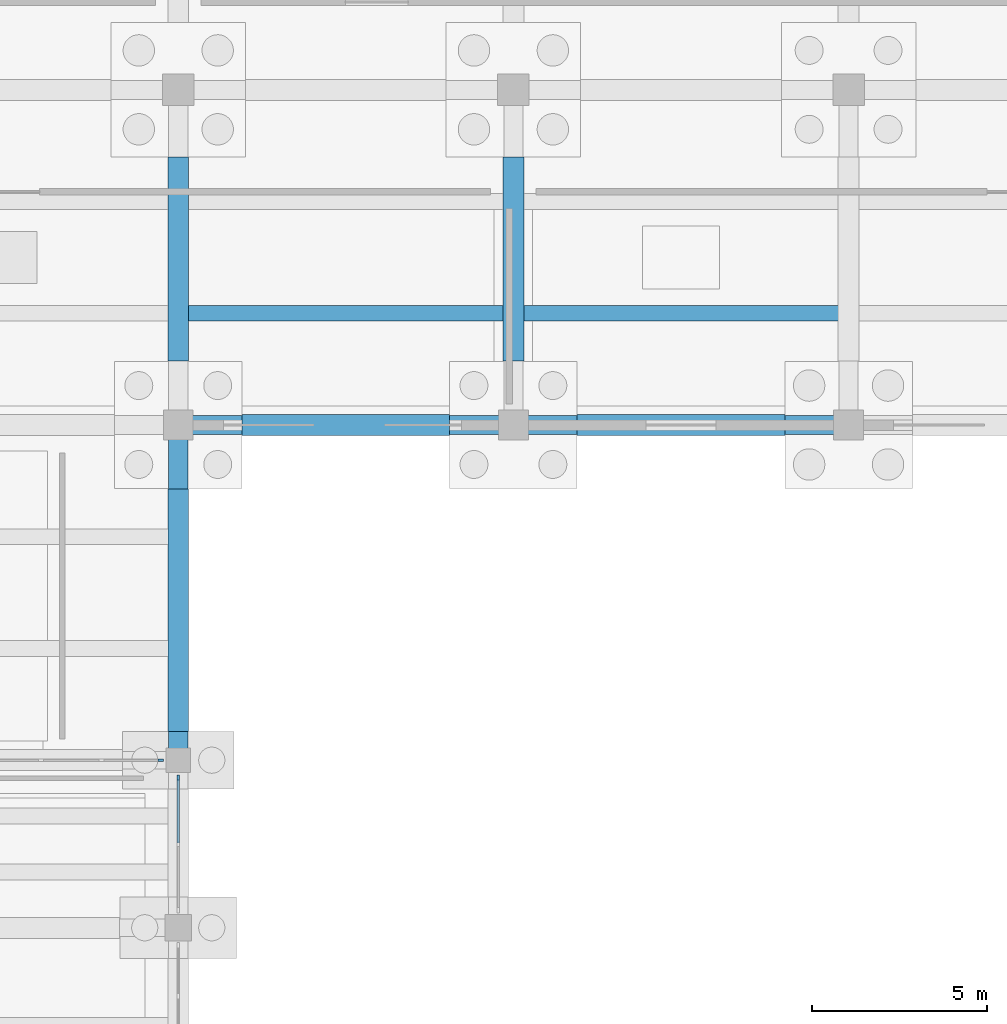
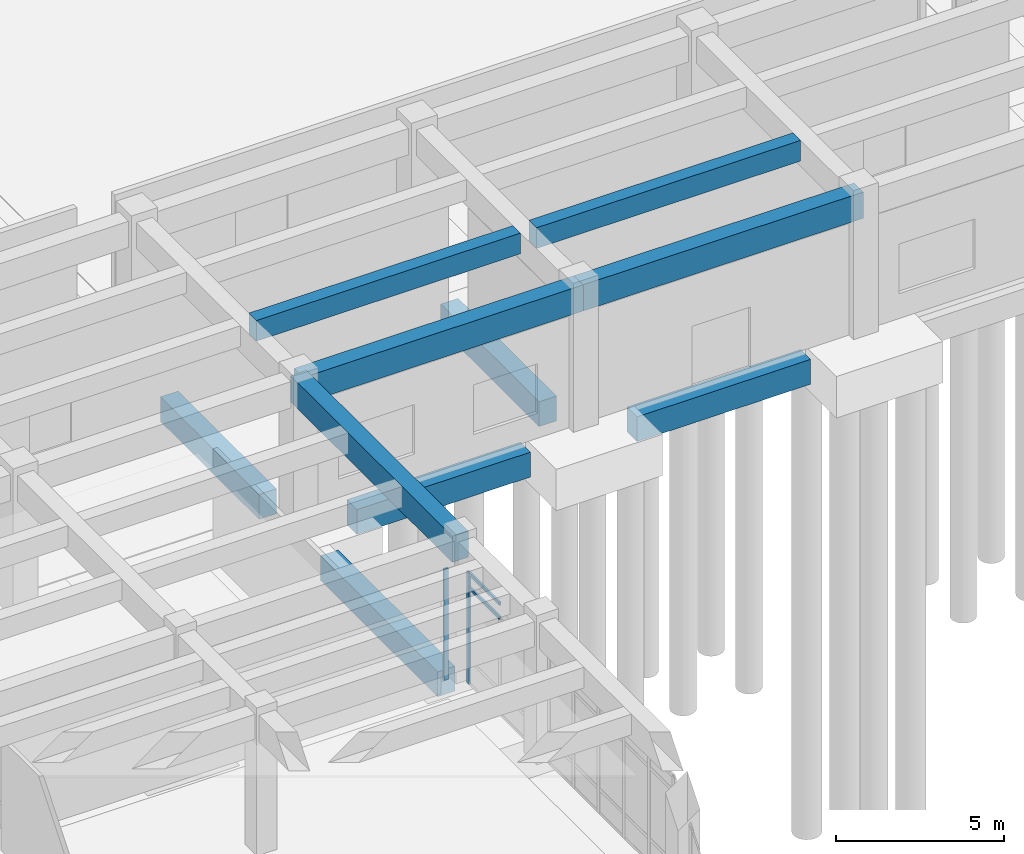
# One storey, part 33 of 102: 10 beams, 4 members, 2 elements without a shape of their own.
"""IFC4 building model written with IfcOpenShell, lengths in metres."""

from ifc_helpers import new_model, si_unit, direction, frame, origin, origin_2d, place, context, subcontext, project, spatial, rectangle, extrude, material, layer, layer_set, material_profile, profile_set, type_object, element, aggregate, save


model = new_model("IFC4")

# Units and contexts
model_context = context("Model", 3, precision=1e-05, world=origin(), true_north=direction((0.0, 1.0)))
body_context = subcontext(model_context, "Body", "Model", "MODEL_VIEW")
ifc_project = project(units=[si_unit("LENGTHUNIT", "METRE"), si_unit("AREAUNIT", "SQUARE_METRE"), si_unit("VOLUMEUNIT", "CUBIC_METRE"), si_unit("PLANEANGLEUNIT", "RADIAN"), si_unit("MASSUNIT", "GRAM", prefix="KILO")], contexts=[model_context])

# Site, building, storey
site_placement = place(None, origin())
site = spatial("IfcSite", under=ifc_project, at=site_placement, CompositionType="ELEMENT")
building_placement = place(site_placement, origin())
building = spatial("IfcBuilding", under=site, at=building_placement, Name="Kolvemor Railside Polytechnic", CompositionType="ELEMENT")
storey_placement = place(building_placement, origin())
storey = spatial("IfcBuildingStorey", under=building, at=storey_placement, Name="L00", CompositionType="ELEMENT", Elevation=0.0)

# Beams
ifc_material_1 = material(Name="Concrete C40/50", Category="concrete")
ifc_material_profile_1 = material_profile(ifc_material_1, rectangle(XDim=0.550048828125, YDim=0.949951171875, at=origin_2d()), Name="RC550x950")
ifc_profile_set_1 = profile_set([ifc_material_profile_1], Name="Concrete C40/50")
beam_type_1 = type_object("IfcBeamType", Name="BM-RC-GIRD", PredefinedType="BEAM", material=ifc_profile_set_1)
beam_1_placement = place(storey_placement, frame((48.0, 91.199951171875, 4.635009765625), z_axis=(1.0, 0.0, 0.0), x_axis=(0.0, 1.0, 0.0)))
element("IfcBeam", 1, at=beam_1_placement, inside=storey, type_object=beam_type_1, Name="Primary Girder L01-GX 0494", PredefinedType="BEAM", context=body_context, shape_type="SweptSolid", body=[
    extrude(rectangle(XDim=0.550048828125, YDim=0.949951171875, at=origin_2d()), origin(), (0.0, 0.0, 1.0), 9.60009765625),
])
for number, where, z_axis, x_axis, name in (
    (2, (57.60009765625, 91.199951171875, 4.635009765625), (1.0, 0.0, 0.0), (0.0, 1.0, 0.0), "Primary Girder L01-GX 0495"),
    (3, (48.0, 81.60009765625, 4.635009765625), (0.0, 1.0, 0.0), (-1.0, 0.0, 0.0), "Primary Girder L01-GY 1051"),
):
    element("IfcBeam", number, at=place(storey_placement, frame(where, z_axis=z_axis, x_axis=x_axis)), inside=storey, type_object=beam_type_1, Name=name, PredefinedType="BEAM", context=body_context, shape_type="SweptSolid", body=[
        extrude(rectangle(XDim=0.550048828125, YDim=0.949951171875, at=origin_2d()), origin(), (0.0, 0.0, 1.0), 9.599853515625),
    ])
ifc_material_2 = material(Name="Concrete C40/50", Category="concrete")
ifc_material_profile_2 = material_profile(ifc_material_2, rectangle(XDim=0.449951171875, YDim=0.75, at=origin_2d()), Name="RC450x750")
ifc_profile_set_2 = profile_set([ifc_material_profile_2], Name="Concrete C40/50")
beam_type_2 = type_object("IfcBeamType", Name="BM-RC-SEC", PredefinedType="JOIST", material=ifc_profile_set_2)
for number, where, z_axis, x_axis, name in (
    (4, (48.27490234375, 94.39990234375, 4.735107421875), (1.0, 0.0, 0.0), (0.0, 1.0, 0.0), "Floor Joist L01-J0540"),
    (5, (57.875, 94.39990234375, 4.735107421875), (1.0, 0.0, 0.0), (0.0, 1.0, 0.0), "Floor Joist L01-J0542"),
):
    element("IfcBeam", number, at=place(storey_placement, frame(where, z_axis=z_axis, x_axis=x_axis)), inside=storey, type_object=beam_type_2, Name=name, PredefinedType="JOIST", context=body_context, shape_type="SweptSolid", body=[
        extrude(rectangle(XDim=0.449951171875, YDim=0.75, at=origin_2d()), origin(), (0.0, 0.0, 1.0), 9.050048828125),
    ])
ifc_material_3 = material(Name="Concrete C40/50", Category="concrete")
ifc_material_profile_3 = material_profile(ifc_material_3, rectangle(XDim=0.60009765625, YDim=0.89990234375, at=origin_2d()), Name="RC600x900")
ifc_profile_set_3 = profile_set([ifc_material_profile_3], Name="Concrete C40/50")
beam_type_3 = type_object("IfcBeamType", Name="BM-RC-TIE", PredefinedType="BEAM", material=ifc_profile_set_3)
for number, where, z_axis, x_axis, name in (
    (6, (49.826904296875, 91.199951171875, -0.75), (1.0, 0.0, 0.0), (0.0, 1.0, 0.0), "Ground Tie Beam GTB-X188"),
    (7, (59.427001953125, 91.199951171875, -0.75), (1.0, 0.0, 0.0), (0.0, 1.0, 0.0), "Ground Tie Beam GTB-X189"),
):
    element("IfcBeam", number, at=place(storey_placement, frame(where, z_axis=z_axis, x_axis=x_axis)), inside=storey, type_object=beam_type_3, Name=name, PredefinedType="BEAM", context=body_context, shape_type="SweptSolid", body=[
        extrude(rectangle(XDim=0.60009765625, YDim=0.89990234375, at=origin_2d()), origin(), (0.0, 0.0, 1.0), 5.946044921875),
    ])
beam_2_placement = place(storey_placement, frame((48.0, 82.427001953125, -0.75), z_axis=(0.0, 1.0, 0.0), x_axis=(-1.0, 0.0, 0.0)))
element("IfcBeam", 8, at=beam_2_placement, inside=storey, type_object=beam_type_3, Name="Ground Tie Beam GTB-Y297", PredefinedType="BEAM", context=body_context, shape_type="SweptSolid", body=[
    extrude(rectangle(XDim=0.60009765625, YDim=0.89990234375, at=origin_2d()), origin(), (0.0, 0.0, 1.0), 6.946044921875),
])
for number, where, z_axis, x_axis, name in (
    (9, (48.0, 93.027099609375, -0.75), (0.0, 1.0, 0.0), (-1.0, 0.0, 0.0), "Ground Tie Beam GTB-Y298"),
    (10, (57.60009765625, 93.027099609375, -0.75), (0.0, 1.0, 0.0), (-1.0, 0.0, 0.0), "Ground Tie Beam GTB-Y306"),
):
    element("IfcBeam", number, at=place(storey_placement, frame(where, z_axis=z_axis, x_axis=x_axis)), inside=storey, type_object=beam_type_3, Name=name, PredefinedType="BEAM", context=body_context, shape_type="SweptSolid", body=[
        extrude(rectangle(XDim=0.60009765625, YDim=0.89990234375, at=origin_2d()), origin(), (0.0, 0.0, 1.0), 5.845947265625),
    ])

# Curtain wall, member
ifc_material_4 = material(Name="Anodised marine aluminium and laminated low-E glass", Category="aluminium")
ifc_layer = layer(ifc_material_4, 0.179931640625, Name="CW-UNIT-STD")
ifc_layer_set = layer_set([ifc_layer], Name="Anodised marine aluminium and laminated low-E glass")
curtain_wall_type = type_object("IfcCurtainWallType", Name="CW-UNIT-STD", PredefinedType="USERDEFINED", material=ifc_layer_set)
curtain_wall_1_placement = place(storey_placement, origin())
curtain_wall_1 = element("IfcCurtainWall", 11, at=curtain_wall_1_placement, inside=storey, type_object=curtain_wall_type, Name="Curtain Wall L00-030", ObjectType="UNITISED CURTAIN WALL", PredefinedType="USERDEFINED")
ifc_material_5 = material(Name="Anodised marine aluminium 6063-T6", Category="aluminium")
ifc_material_profile_4 = material_profile(ifc_material_5, rectangle(XDim=0.06494140625, YDim=0.14990234375, at=origin_2d()), Name="CW-MUL-65x150")
ifc_profile_set_4 = profile_set([ifc_material_profile_4], Name="Anodised marine aluminium 6063-T6")
member_type_1 = type_object("IfcMemberType", Name="CWM-65x150", PredefinedType="MULLION", material=ifc_profile_set_4)
member_1_placement = place(storey_placement, frame((47.49755859375, 81.60009765625, 0.0), z_axis=(0.0, 0.0, 1.0), x_axis=(0.0, -1.0, 0.0)))
member_1 = element("IfcMember", 12, at=member_1_placement, type_object=member_type_1, Name="CW-STD mullion 1", PredefinedType="MULLION", context=body_context, shape_type="SweptSolid", body=[
    extrude(rectangle(XDim=0.06494140625, YDim=0.14990234375, at=origin_2d()), origin(), (0.0, 0.0, 1.0), 4.0400390625),
])
aggregate(curtain_wall_1, [member_1])

# Curtain wall, members
curtain_wall_2_placement = place(storey_placement, origin())
curtain_wall_2 = element("IfcCurtainWall", 13, at=curtain_wall_2_placement, inside=storey, type_object=curtain_wall_type, Name="Curtain Wall L00-089", ObjectType="UNITISED CURTAIN WALL", PredefinedType="USERDEFINED")
member_2_placement = place(storey_placement, frame((48.0, 81.097412109375, 0.0), z_axis=(0.0, 0.0, 1.0), x_axis=(-1.0, 0.0, 0.0)))
member_2 = element("IfcMember", 14, at=member_2_placement, type_object=member_type_1, Name="CW-STD mullion 3", PredefinedType="MULLION", context=body_context, shape_type="SweptSolid", body=[
    extrude(rectangle(XDim=0.06494140625, YDim=0.14990234375, at=origin_2d()), origin(), (0.0, 0.0, 1.0), 4.0400390625),
])
ifc_material_6 = material(Name="Anodised marine aluminium 6063-T6", Category="aluminium")
ifc_material_profile_5 = material_profile(ifc_material_6, rectangle(XDim=0.06494140625, YDim=0.1201171875, at=origin_2d()), Name="CW-TRN-65x120")
ifc_profile_set_5 = profile_set([ifc_material_profile_5], Name="Anodised marine aluminium 6063-T6")
member_type_2 = type_object("IfcMemberType", Name="CWT-65x120", PredefinedType="USERDEFINED", material=ifc_profile_set_5)
member_3_placement = place(storey_placement, frame((48.0, 79.232421875, 3.489990234375), z_axis=(0.0, 1.0, 0.0), x_axis=(-1.0, 0.0, 0.0)))
member_3 = element("IfcMember", 15, at=member_3_placement, type_object=member_type_2, Name="CW-STD transom 2.3", ObjectType="TRANSOM", PredefinedType="USERDEFINED", context=body_context, shape_type="SweptSolid", body=[
    extrude(rectangle(XDim=0.06494140625, YDim=0.1201171875, at=origin_2d()), origin(), (0.0, 0.0, 1.0), 1.83251953125),
])
member_4_placement = place(storey_placement, frame((48.0, 79.232421875, 4.007568359375), z_axis=(0.0, 1.0, 0.0), x_axis=(-1.0, 0.0, 0.0)))
member_4 = element("IfcMember", 16, at=member_4_placement, type_object=member_type_2, Name="CW-STD transom 2.4", ObjectType="TRANSOM", PredefinedType="USERDEFINED", context=body_context, shape_type="SweptSolid", body=[
    extrude(rectangle(XDim=0.06494140625, YDim=0.1201171875, at=origin_2d()), origin(), (0.0, 0.0, 1.0), 1.83251953125),
])
aggregate(curtain_wall_2, [member_2, member_3, member_4])

save(model, "model.ifc")
